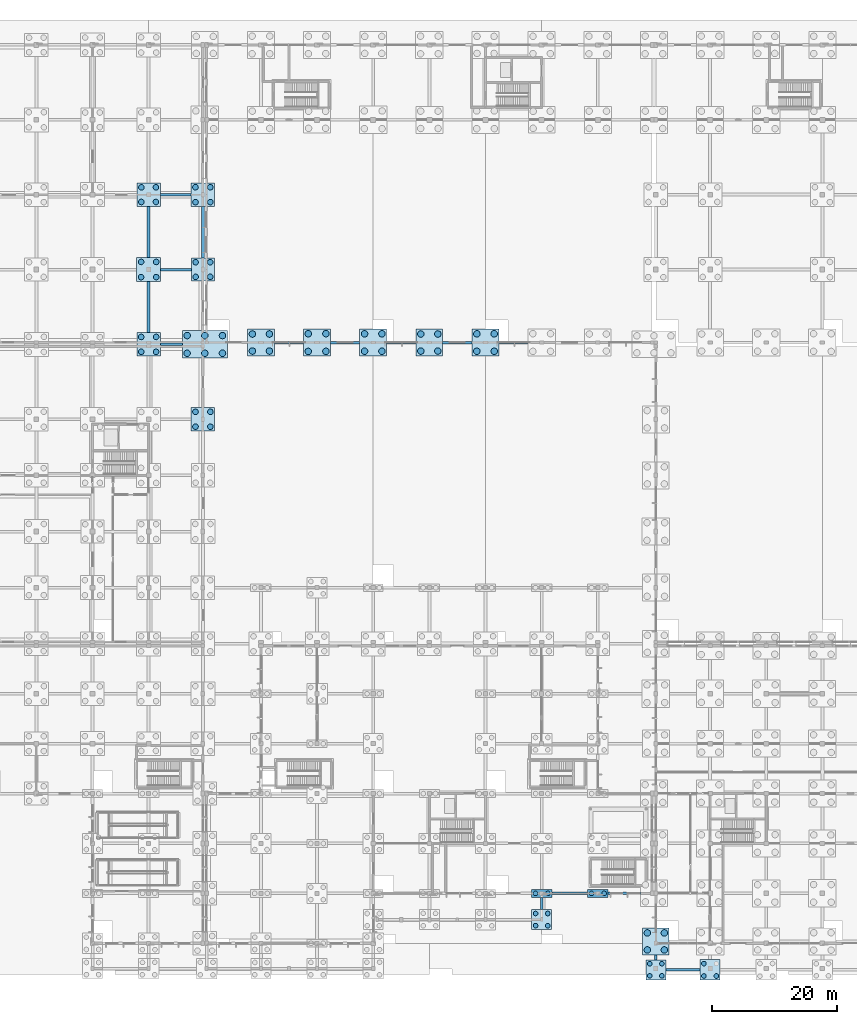
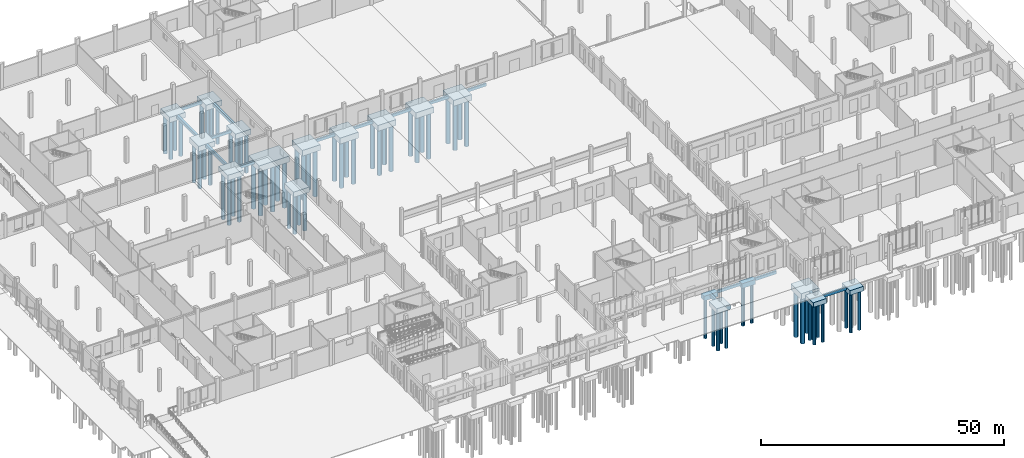
# One storey, part 11 of 99: 69 piles, 34 footings.
"""IFC4 building model written with IfcOpenShell, lengths in metres."""

from ifc_helpers import new_model, si_unit, direction, frame, origin, origin_2d, place, context, subcontext, project, spatial, rectangle, circle, extrude, material, layer, layer_set, material_profile, profile_set, type_object, element, save


model = new_model("IFC4")

# Units and contexts
model_context = context("Model", 3, precision=1e-05, world=origin(), true_north=direction((0.0, 1.0)))
body_context = subcontext(model_context, "Body", "Model", "MODEL_VIEW")
ifc_project = project(units=[si_unit("LENGTHUNIT", "METRE"), si_unit("AREAUNIT", "SQUARE_METRE"), si_unit("VOLUMEUNIT", "CUBIC_METRE"), si_unit("PLANEANGLEUNIT", "RADIAN"), si_unit("MASSUNIT", "GRAM", prefix="KILO")], contexts=[model_context])

# Site, building, storey
site_placement = place(None, origin())
site = spatial("IfcSite", under=ifc_project, at=site_placement, CompositionType="ELEMENT")
building_placement = place(site_placement, origin())
building = spatial("IfcBuilding", under=site, at=building_placement, Name="Zacnel Wholesale Market", CompositionType="ELEMENT")
storey_placement = place(building_placement, origin())
storey = spatial("IfcBuildingStorey", under=building, at=storey_placement, Name="L01", CompositionType="ELEMENT", Elevation=0.0)

# Footings
ifc_material_1 = material(Name="Concrete C35/45", Category="concrete")
ifc_material_profile_1 = material_profile(ifc_material_1, rectangle(XDim=0.39990234375, YDim=0.699951171875, at=origin_2d()), Name="CT 400x700")
ifc_profile_set_1 = profile_set([ifc_material_profile_1], Name="Concrete C35/45")
footing_type_1 = type_object("IfcFootingType", Name="FTG-CT400X700", PredefinedType="FOOTING_BEAM", material=ifc_profile_set_1)
footing_1_placement = place(storey_placement, frame((145.89990234375, -4.25, -0.85009765625), z_axis=(1.0, 0.0, 0.0), x_axis=(0.0, 1.0, 0.0)))
element("IfcFooting", 1, at=footing_1_placement, inside=storey, type_object=footing_type_1, Name="Ground tie beam CT-X-0238", PredefinedType="FOOTING_BEAM", context=body_context, shape_type="SweptSolid", body=[
    extrude(rectangle(XDim=0.39990234375, YDim=0.699951171875, at=origin_2d()), origin(), (0.0, 0.0, 1.0), 5.47998046875),
])
footing_2_placement = place(storey_placement, frame((127.6201171875, 8.0, -0.85009765625), z_axis=(1.0, 0.0, 0.0), x_axis=(0.0, 1.0, 0.0)))
element("IfcFooting", 2, at=footing_2_placement, inside=storey, type_object=footing_type_1, Name="Ground tie beam CT-X-0275", PredefinedType="FOOTING_BEAM", context=body_context, shape_type="SweptSolid", body=[
    extrude(rectangle(XDim=0.39990234375, YDim=0.699951171875, at=origin_2d()), origin(), (0.0, 0.0, 1.0), 5.744873046875),
])
footing_3_placement = place(storey_placement, frame((136.635009765625, 8.0, -0.85009765625), z_axis=(1.0, 0.0, 0.0), x_axis=(0.0, 1.0, 0.0)))
element("IfcFooting", 3, at=footing_3_placement, inside=storey, type_object=footing_type_1, Name="Ground tie beam CT-X-0276", PredefinedType="FOOTING_BEAM", context=body_context, shape_type="SweptSolid", body=[
    extrude(rectangle(XDim=0.39990234375, YDim=0.699951171875, at=origin_2d()), origin(), (0.0, 0.0, 1.0), 5.22509765625),
])
footing_4_placement = place(storey_placement, frame((64.889892578125, 96.0, -0.85009765625), z_axis=(1.0, 0.0, 0.0), x_axis=(0.0, 1.0, 0.0)))
element("IfcFooting", 4, at=footing_4_placement, inside=storey, type_object=footing_type_1, Name="Ground tie beam CT-X-0441", PredefinedType="FOOTING_BEAM", context=body_context, shape_type="SweptSolid", body=[
    extrude(rectangle(XDim=0.39990234375, YDim=0.699951171875, at=origin_2d()), origin(), (0.0, 0.0, 1.0), 3.5),
])
footing_5_placement = place(storey_placement, frame((83.139892578125, 96.300048828125, -0.85009765625), z_axis=(1.0, 0.0, 0.0), x_axis=(0.0, 1.0, 0.0)))
element("IfcFooting", 5, at=footing_5_placement, inside=storey, type_object=footing_type_1, Name="Ground tie beam CT-X-0443", PredefinedType="FOOTING_BEAM", context=body_context, shape_type="SweptSolid", body=[
    extrude(rectangle(XDim=0.39990234375, YDim=0.699951171875, at=origin_2d()), origin(), (0.0, 0.0, 1.0), 4.670166015625),
])
footing_6_placement = place(storey_placement, frame((92.18994140625, 96.300048828125, -0.85009765625), z_axis=(1.0, 0.0, 0.0), x_axis=(0.0, 1.0, 0.0)))
element("IfcFooting", 6, at=footing_6_placement, inside=storey, type_object=footing_type_1, Name="Ground tie beam CT-X-0444", PredefinedType="FOOTING_BEAM", context=body_context, shape_type="SweptSolid", body=[
    extrude(rectangle(XDim=0.39990234375, YDim=0.699951171875, at=origin_2d()), origin(), (0.0, 0.0, 1.0), 4.64501953125),
])
for number, where, z_axis, x_axis, name in (
    (7, (101.1650390625, 96.300048828125, -0.85009765625), (1.0, 0.0, 0.0), (0.0, 1.0, 0.0), "Ground tie beam CT-X-0445"),
    (8, (110.139892578125, 96.300048828125, -0.85009765625), (1.0, 0.0, 0.0), (0.0, 1.0, 0.0), "Ground tie beam CT-X-0446"),
):
    element("IfcFooting", number, at=place(storey_placement, frame(where, z_axis=z_axis, x_axis=x_axis)), inside=storey, type_object=footing_type_1, Name=name, PredefinedType="FOOTING_BEAM", context=body_context, shape_type="SweptSolid", body=[
        extrude(rectangle(XDim=0.39990234375, YDim=0.699951171875, at=origin_2d()), origin(), (0.0, 0.0, 1.0), 4.695068359375),
    ])
footing_7_placement = place(storey_placement, frame((119.1650390625, 96.300048828125, -0.85009765625), z_axis=(1.0, 0.0, 0.0), x_axis=(0.0, 1.0, 0.0)))
element("IfcFooting", 9, at=footing_7_placement, inside=storey, type_object=footing_type_1, Name="Ground tie beam CT-X-0447", PredefinedType="FOOTING_BEAM", context=body_context, shape_type="SweptSolid", body=[
    extrude(rectangle(XDim=0.39990234375, YDim=0.699951171875, at=origin_2d()), origin(), (0.0, 0.0, 1.0), 4.64501953125),
])
footing_8_placement = place(storey_placement, frame((64.9150390625, 108.0, -0.85009765625), z_axis=(1.0, 0.0, 0.0), x_axis=(0.0, 1.0, 0.0)))
element("IfcFooting", 10, at=footing_8_placement, inside=storey, type_object=footing_type_1, Name="Ground tie beam CT-X-0457", PredefinedType="FOOTING_BEAM", context=body_context, shape_type="SweptSolid", body=[
    extrude(rectangle(XDim=0.39990234375, YDim=0.699951171875, at=origin_2d()), origin(), (0.0, 0.0, 1.0), 4.9150390625),
])
footing_9_placement = place(storey_placement, frame((64.8701171875, 120.0, -0.85009765625), z_axis=(1.0, 0.0, 0.0), x_axis=(0.0, 1.0, 0.0)))
element("IfcFooting", 11, at=footing_9_placement, inside=storey, type_object=footing_type_1, Name="Ground tie beam CT-X-0468", PredefinedType="FOOTING_BEAM", context=body_context, shape_type="SweptSolid", body=[
    extrude(rectangle(XDim=0.39990234375, YDim=0.699951171875, at=origin_2d()), origin(), (0.0, 0.0, 1.0), 4.93994140625),
])
ifc_material_2 = material(Name="Concrete C35/45", Category="concrete")
ifc_material_profile_2 = material_profile(ifc_material_2, rectangle(XDim=0.449951171875, YDim=0.75, at=origin_2d()), Name="CT 450x750")
ifc_profile_set_2 = profile_set([ifc_material_profile_2], Name="Concrete C35/45")
footing_type_2 = type_object("IfcFootingType", Name="FTG-CT450X750", PredefinedType="FOOTING_BEAM", material=ifc_profile_set_2)
footing_10_placement = place(storey_placement, frame((126.0, 5.39990234375, -0.875), z_axis=(0.0, 1.0, 0.0), x_axis=(-1.0, 0.0, 0.0)))
element("IfcFooting", 12, at=footing_10_placement, inside=storey, type_object=footing_type_2, Name="Ground tie beam CT-Y-0132", PredefinedType="FOOTING_BEAM", context=body_context, shape_type="SweptSolid", body=[
    extrude(rectangle(XDim=0.449951171875, YDim=0.75, at=origin_2d()), origin(), (0.0, 0.0, 1.0), 1.97509765625),
])
footing_11_placement = place(storey_placement, frame((144.300048828125, -2.64990234375, -0.875), z_axis=(0.0, 1.0, 0.0), x_axis=(-1.0, 0.0, 0.0)))
element("IfcFooting", 13, at=footing_11_placement, inside=storey, type_object=footing_type_2, Name="Ground tie beam CT-Y-0146", PredefinedType="FOOTING_BEAM", context=body_context, shape_type="SweptSolid", body=[
    extrude(rectangle(XDim=0.449951171875, YDim=0.75, at=origin_2d()), origin(), (0.0, 0.0, 1.0), 0.809814453125),
])
ifc_material_3 = material(Name="Concrete C35/45", Category="concrete")
ifc_material_profile_3 = material_profile(ifc_material_3, rectangle(XDim=0.5, YDim=0.800048828125, at=origin_2d()), Name="CT 500x800")
ifc_profile_set_3 = profile_set([ifc_material_profile_3], Name="Concrete C35/45")
footing_type_3 = type_object("IfcFootingType", Name="FTG-CT500X800", PredefinedType="FOOTING_BEAM", material=ifc_profile_set_3)
footing_12_placement = place(storey_placement, frame((63.0, 97.889892578125, -0.89990234375), z_axis=(0.0, 1.0, 0.0), x_axis=(-1.0, 0.0, 0.0)))
element("IfcFooting", 14, at=footing_12_placement, inside=storey, type_object=footing_type_3, Name="Ground tie beam CT-Y-0082", PredefinedType="FOOTING_BEAM", context=body_context, shape_type="SweptSolid", body=[
    extrude(rectangle(XDim=0.5, YDim=0.800048828125, at=origin_2d()), origin(), (0.0, 0.0, 1.0), 8.195068359375),
])
footing_13_placement = place(storey_placement, frame((63.0, 109.9150390625, -0.89990234375), z_axis=(0.0, 1.0, 0.0), x_axis=(-1.0, 0.0, 0.0)))
element("IfcFooting", 15, at=footing_13_placement, inside=storey, type_object=footing_type_3, Name="Ground tie beam CT-Y-0083", PredefinedType="FOOTING_BEAM", context=body_context, shape_type="SweptSolid", body=[
    extrude(rectangle(XDim=0.5, YDim=0.800048828125, at=origin_2d()), origin(), (0.0, 0.0, 1.0), 8.21484375),
])
footing_14_placement = place(storey_placement, frame((71.699951171875, 109.8701171875, -0.89990234375), z_axis=(0.0, 1.0, 0.0), x_axis=(-1.0, 0.0, 0.0)))
element("IfcFooting", 16, at=footing_14_placement, inside=storey, type_object=footing_type_3, Name="Ground tie beam CT-Y-0092", PredefinedType="FOOTING_BEAM", context=body_context, shape_type="SweptSolid", body=[
    extrude(rectangle(XDim=0.5, YDim=0.800048828125, at=origin_2d()), origin(), (0.0, 0.0, 1.0), 8.239990234375),
])
ifc_material_4 = material(Name="Concrete C35/45", Category="concrete")
ifc_layer_1 = layer(ifc_material_4, 1.199951171875)
ifc_layer_set_1 = layer_set([ifc_layer_1], Name="Concrete C35/45")
footing_type_4 = type_object("IfcFootingType", Name="FTG-PC-3200X3200X1200", PredefinedType="PILE_CAP", material=ifc_layer_set_1)
for number, where, z_axis, x_axis, name in (
    (17, (144.300048828125, -4.25, -1.7001953125), (0.0, 0.0, 1.0), (1.0, 0.0, 0.0), "Pile cap PC-21 (STR-PC-R2-BV5-01)"),
    (18, (126.0, 3.800048828125, -1.7001953125), (0.0, 0.0, 1.0), (1.0, 0.0, 0.0), "Pile cap PC-21 (STR-PC-R2-BV4E-04)"),
):
    element("IfcFooting", number, at=place(storey_placement, frame(where, z_axis=z_axis, x_axis=x_axis)), inside=storey, type_object=footing_type_4, Name=name, PredefinedType="PILE_CAP", context=body_context, shape_type="SweptSolid", body=[
        extrude(rectangle(XDim=3.199951171875, YDim=3.199951171875, at=origin_2d()), origin(), (0.0, 0.0, 1.0), 1.199951171875),
    ])
ifc_material_5 = material(Name="Concrete C35/45", Category="concrete")
ifc_layer_2 = layer(ifc_material_5, 1.199951171875)
ifc_layer_set_2 = layer_set([ifc_layer_2], Name="Concrete C35/45")
footing_type_5 = type_object("IfcFootingType", Name="FTG-PC-3240X1250X1200", PredefinedType="PILE_CAP", material=ifc_layer_set_2)
footing_15_placement = place(storey_placement, frame((126.0, 8.0, -1.7001953125), z_axis=(0.0, 0.0, 1.0), x_axis=(1.0, 0.0, 0.0)))
element("IfcFooting", 19, at=footing_15_placement, inside=storey, type_object=footing_type_5, Name="Pile cap PC-10 (STR-PC-178)", PredefinedType="PILE_CAP", context=body_context, shape_type="SweptSolid", body=[
    extrude(rectangle(XDim=3.239990234375, YDim=1.25, at=origin_2d()), origin(), (0.0, 0.0, 1.0), 1.199951171875),
])
ifc_material_6 = material(Name="Concrete C35/45", Category="concrete")
ifc_layer_3 = layer(ifc_material_6, 1.199951171875)
ifc_layer_set_3 = layer_set([ifc_layer_3], Name="Concrete C35/45")
footing_type_6 = type_object("IfcFootingType", Name="FTG-PC-3240X3240X1200", PredefinedType="PILE_CAP", material=ifc_layer_set_3)
footing_16_placement = place(storey_placement, frame((153.0, -4.25, -1.7001953125), z_axis=(0.0, 0.0, 1.0), x_axis=(1.0, 0.0, 0.0)))
element("IfcFooting", 20, at=footing_16_placement, inside=storey, type_object=footing_type_6, Name="Pile cap PC-22 (STR-PC-R2-BV5-02)", PredefinedType="PILE_CAP", context=body_context, shape_type="SweptSolid", body=[
    extrude(rectangle(XDim=3.239990234375, YDim=3.239990234375, at=origin_2d()), origin(), (0.0, 0.0, 1.0), 1.199951171875),
])
ifc_material_7 = material(Name="Concrete C35/45", Category="concrete")
ifc_layer_4 = layer(ifc_material_7, 1.199951171875)
ifc_layer_set_4 = layer_set([ifc_layer_4], Name="Concrete C35/45")
footing_type_7 = type_object("IfcFootingType", Name="FTG-PC-3270X1250X1200", PredefinedType="PILE_CAP", material=ifc_layer_set_4)
footing_17_placement = place(storey_placement, frame((135.0, 8.0, -1.7001953125), z_axis=(0.0, 0.0, 1.0), x_axis=(1.0, 0.0, 0.0)))
element("IfcFooting", 21, at=footing_17_placement, inside=storey, type_object=footing_type_7, Name="Pile cap PC-08 (STR-PC-188)", PredefinedType="PILE_CAP", context=body_context, shape_type="SweptSolid", body=[
    extrude(rectangle(XDim=3.27001953125, YDim=1.25, at=origin_2d()), origin(), (0.0, 0.0, 1.0), 1.199951171875),
])
ifc_material_8 = material(Name="Concrete C35/45", Category="concrete")
ifc_layer_5 = layer(ifc_material_8, 1.300048828125)
ifc_layer_set_5 = layer_set([ifc_layer_5], Name="Concrete C35/45")
footing_type_8 = type_object("IfcFootingType", Name="FTG-PC-3740X3740X1300", PredefinedType="PILE_CAP", material=ifc_layer_set_5)
footing_18_placement = place(storey_placement, frame((71.699951171875, 108.0, -1.7998046875), z_axis=(0.0, 0.0, 1.0), x_axis=(1.0, 0.0, 0.0)))
element("IfcFooting", 22, at=footing_18_placement, inside=storey, type_object=footing_type_8, Name="Pile cap PC-03 (STR-PC-123)", PredefinedType="PILE_CAP", context=body_context, shape_type="SweptSolid", body=[
    extrude(rectangle(XDim=3.739990234375, YDim=3.739990234375, at=origin_2d()), origin(), (0.0, 0.0, 1.0), 1.300048828125),
])
ifc_material_9 = material(Name="Concrete C35/45", Category="concrete")
ifc_layer_6 = layer(ifc_material_9, 1.35009765625)
ifc_layer_set_6 = layer_set([ifc_layer_6], Name="Concrete C35/45")
footing_type_9 = type_object("IfcFootingType", Name="FTG-PC-3740X3740X1350", PredefinedType="PILE_CAP", material=ifc_layer_set_6)
footing_19_placement = place(storey_placement, frame((63.0, 120.0, -1.85009765625), z_axis=(0.0, 0.0, 1.0), x_axis=(1.0, 0.0, 0.0)))
element("IfcFooting", 23, at=footing_19_placement, inside=storey, type_object=footing_type_9, Name="Pile cap PC-06 (STR-PC-108)", PredefinedType="PILE_CAP", context=body_context, shape_type="SweptSolid", body=[
    extrude(rectangle(XDim=3.739990234375, YDim=3.739990234375, at=origin_2d()), origin(), (0.0, 0.0, 1.0), 1.35009765625),
])
ifc_material_10 = material(Name="Concrete C35/45", Category="concrete")
ifc_layer_7 = layer(ifc_material_10, 1.300048828125)
ifc_layer_set_7 = layer_set([ifc_layer_7], Name="Concrete C35/45")
footing_type_10 = type_object("IfcFootingType", Name="FTG-PC-3780X3780X1300", PredefinedType="PILE_CAP", material=ifc_layer_set_7)
footing_20_placement = place(storey_placement, frame((71.699951171875, 84.0, -1.7998046875), z_axis=(0.0, 0.0, 1.0), x_axis=(1.0, 0.0, 0.0)))
element("IfcFooting", 24, at=footing_20_placement, inside=storey, type_object=footing_type_10, Name="Pile cap PC-01 (STR-PC-121)", PredefinedType="PILE_CAP", context=body_context, shape_type="SweptSolid", body=[
    extrude(rectangle(XDim=3.780029296875, YDim=3.780029296875, at=origin_2d()), origin(), (0.0, 0.0, 1.0), 1.300048828125),
])
ifc_material_11 = material(Name="Concrete C35/45", Category="concrete")
ifc_layer_8 = layer(ifc_material_11, 1.35009765625)
ifc_layer_set_8 = layer_set([ifc_layer_8], Name="Concrete C35/45")
footing_type_11 = type_object("IfcFootingType", Name="FTG-PC-3780X3780X1350", PredefinedType="PILE_CAP", material=ifc_layer_set_8)
for number, where, z_axis, x_axis, name in (
    (25, (63.0, 96.0, -1.85009765625), (0.0, 0.0, 1.0), (1.0, 0.0, 0.0), "Pile cap PC-04 (STR-PC-106)"),
    (26, (71.699951171875, 120.0, -1.85009765625), (0.0, 0.0, 1.0), (1.0, 0.0, 0.0), "Pile cap PC-04 (STR-PC-124)"),
):
    element("IfcFooting", number, at=place(storey_placement, frame(where, z_axis=z_axis, x_axis=x_axis)), inside=storey, type_object=footing_type_11, Name=name, PredefinedType="PILE_CAP", context=body_context, shape_type="SweptSolid", body=[
        extrude(rectangle(XDim=3.780029296875, YDim=3.780029296875, at=origin_2d()), origin(), (0.0, 0.0, 1.0), 1.35009765625),
    ])
ifc_material_12 = material(Name="Concrete C35/45", Category="concrete")
ifc_layer_9 = layer(ifc_material_12, 1.300048828125)
ifc_layer_set_9 = layer_set([ifc_layer_9], Name="Concrete C35/45")
footing_type_12 = type_object("IfcFootingType", Name="FTG-PC-3830X3830X1300", PredefinedType="PILE_CAP", material=ifc_layer_set_9)
footing_21_placement = place(storey_placement, frame((63.0, 108.0, -1.7998046875), z_axis=(0.0, 0.0, 1.0), x_axis=(1.0, 0.0, 0.0)))
element("IfcFooting", 27, at=footing_21_placement, inside=storey, type_object=footing_type_12, Name="Pile cap PC-05 (STR-PC-107)", PredefinedType="PILE_CAP", context=body_context, shape_type="SweptSolid", body=[
    extrude(rectangle(XDim=3.830078125, YDim=3.830078125, at=origin_2d()), origin(), (0.0, 0.0, 1.0), 1.300048828125),
])
ifc_material_13 = material(Name="Concrete C35/45", Category="concrete")
ifc_layer_10 = layer(ifc_material_13, 1.449951171875)
ifc_layer_set_10 = layer_set([ifc_layer_10], Name="Concrete C35/45")
footing_type_13 = type_object("IfcFootingType", Name="FTG-PC-4280X4280X1450", PredefinedType="PILE_CAP", material=ifc_layer_set_10)
for number, where, z_axis, x_axis, name in (
    (28, (81.0, 96.300048828125, -1.9501953125), (0.0, 0.0, 1.0), (1.0, 0.0, 0.0), "Pile cap PC-16 (STR-PC-135)"),
    (29, (108.0, 96.300048828125, -1.9501953125), (0.0, 0.0, 1.0), (1.0, 0.0, 0.0), "Pile cap PC-16 (STR-PC-165)"),
):
    element("IfcFooting", number, at=place(storey_placement, frame(where, z_axis=z_axis, x_axis=x_axis)), inside=storey, type_object=footing_type_13, Name=name, PredefinedType="PILE_CAP", context=body_context, shape_type="SweptSolid", body=[
        extrude(rectangle(XDim=4.280029296875, YDim=4.280029296875, at=origin_2d()), origin(), (0.0, 0.0, 1.0), 1.449951171875),
    ])
ifc_material_14 = material(Name="Concrete C35/45", Category="concrete")
ifc_layer_11 = layer(ifc_material_14, 1.5)
ifc_layer_set_11 = layer_set([ifc_layer_11], Name="Concrete C35/45")
footing_type_14 = type_object("IfcFootingType", Name="FTG-PC-4280X4280X1500", PredefinedType="PILE_CAP", material=ifc_layer_set_11)
footing_22_placement = place(storey_placement, frame((144.300048828125, 0.300048828125, -2.0), z_axis=(0.0, 0.0, 1.0), x_axis=(1.0, 0.0, 0.0)))
element("IfcFooting", 30, at=footing_22_placement, inside=storey, type_object=footing_type_14, Name="Pile cap PC-15 (STR-PC-204)", PredefinedType="PILE_CAP", context=body_context, shape_type="SweptSolid", body=[
    extrude(rectangle(XDim=4.280029296875, YDim=4.280029296875, at=origin_2d()), origin(), (0.0, 0.0, 1.0), 1.5),
])
ifc_material_15 = material(Name="Concrete C35/45", Category="concrete")
ifc_layer_12 = layer(ifc_material_15, 1.449951171875)
ifc_layer_set_12 = layer_set([ifc_layer_12], Name="Concrete C35/45")
footing_type_15 = type_object("IfcFootingType", Name="FTG-PC-4330X4330X1450", PredefinedType="PILE_CAP", material=ifc_layer_set_12)
for number, where, z_axis, x_axis, name in (
    (31, (99.0, 96.300048828125, -1.9501953125), (0.0, 0.0, 1.0), (1.0, 0.0, 0.0), "Pile cap PC-19 (STR-PC-157)"),
    (32, (117.0, 96.300048828125, -1.9501953125), (0.0, 0.0, 1.0), (1.0, 0.0, 0.0), "Pile cap PC-19 (STR-PC-175)"),
):
    element("IfcFooting", number, at=place(storey_placement, frame(where, z_axis=z_axis, x_axis=x_axis)), inside=storey, type_object=footing_type_15, Name=name, PredefinedType="PILE_CAP", context=body_context, shape_type="SweptSolid", body=[
        extrude(rectangle(XDim=4.330078125, YDim=4.330078125, at=origin_2d()), origin(), (0.0, 0.0, 1.0), 1.449951171875),
    ])
ifc_material_16 = material(Name="Concrete C35/45", Category="concrete")
ifc_layer_13 = layer(ifc_material_16, 1.5)
ifc_layer_set_13 = layer_set([ifc_layer_13], Name="Concrete C35/45")
footing_type_16 = type_object("IfcFootingType", Name="FTG-PC-4380X4380X1500", PredefinedType="PILE_CAP", material=ifc_layer_set_13)
footing_23_placement = place(storey_placement, frame((90.0, 96.300048828125, -2.0), z_axis=(0.0, 0.0, 1.0), x_axis=(1.0, 0.0, 0.0)))
element("IfcFooting", 33, at=footing_23_placement, inside=storey, type_object=footing_type_16, Name="Pile cap PC-18 (STR-PC-146)", PredefinedType="PILE_CAP", context=body_context, shape_type="SweptSolid", body=[
    extrude(rectangle(XDim=4.3798828125, YDim=4.3798828125, at=origin_2d()), origin(), (0.0, 0.0, 1.0), 1.5),
])
ifc_material_17 = material(Name="Concrete C35/45", Category="concrete")
ifc_layer_14 = layer(ifc_material_17, 1.5)
ifc_layer_set_14 = layer_set([ifc_layer_14], Name="Concrete C35/45")
footing_type_17 = type_object("IfcFootingType", Name="FTG-PC-7220X4380X1500", PredefinedType="PILE_CAP", material=ifc_layer_set_14)
footing_24_placement = place(storey_placement, frame((72.0, 96.0, -2.0), z_axis=(0.0, 0.0, 1.0), x_axis=(1.0, 0.0, 0.0)))
element("IfcFooting", 34, at=footing_24_placement, inside=storey, type_object=footing_type_17, Name="Pile cap PC-13 (STR-PC-122)", PredefinedType="PILE_CAP", context=body_context, shape_type="SweptSolid", body=[
    extrude(rectangle(XDim=7.219970703125, YDim=4.3798828125, at=origin_2d()), origin(), (0.0, 0.0, 1.0), 1.5),
])

# Piles
ifc_material_18 = material(Name="Concrete C35/45", Category="concrete")
ifc_material_profile_4 = material_profile(ifc_material_18, circle(Radius=0.52490234375, at=origin_2d()), Name="BORED PILE D1050")
ifc_profile_set_4 = profile_set([ifc_material_profile_4], Name="Concrete C35/45")
pile_type_1 = type_object("IfcPileType", Name="PILE-BORED-1050", PredefinedType="BORED", material=ifc_profile_set_4)
for number, where, z_axis, x_axis, name in (
    (35, (69.1650390625, 94.58251953125, -1.89990234375), (0.0, 0.0, -1.0), (1.0, 0.0, 0.0), "Bored pile STR-PILE-122-01"),
    (36, (69.1650390625, 97.41748046875, -1.89990234375), (0.0, 0.0, -1.0), (1.0, 0.0, 0.0), "Bored pile STR-PILE-122-02"),
    (37, (72.0, 94.58251953125, -1.89990234375), (0.0, 0.0, -1.0), (1.0, 0.0, 0.0), "Bored pile STR-PILE-122-03"),
    (38, (72.0, 97.41748046875, -1.89990234375), (0.0, 0.0, -1.0), (1.0, 0.0, 0.0), "Bored pile STR-PILE-122-04"),
    (39, (74.8349609375, 94.58251953125, -1.89990234375), (0.0, 0.0, -1.0), (1.0, 0.0, 0.0), "Bored pile STR-PILE-122-05"),
    (40, (74.8349609375, 97.41748046875, -1.89990234375), (0.0, 0.0, -1.0), (1.0, 0.0, 0.0), "Bored pile STR-PILE-122-06"),
):
    element("IfcPile", number, at=place(storey_placement, frame(where, z_axis=z_axis, x_axis=x_axis)), inside=storey, type_object=pile_type_1, Name=name, PredefinedType="BORED", context=body_context, shape_type="SweptSolid", body=[
        extrude(circle(Radius=0.52490234375, at=origin_2d()), origin(), (0.0, 0.0, 1.0), 11.60009765625),
    ])
for number, where, z_axis, x_axis, name in (
    (41, (79.635009765625, 94.93505859375, -1.85009765625), (0.0, 0.0, -1.0), (1.0, 0.0, 0.0), "Bored pile STR-PILE-135-01"),
    (42, (79.635009765625, 97.6650390625, -1.85009765625), (0.0, 0.0, -1.0), (1.0, 0.0, 0.0), "Bored pile STR-PILE-135-02"),
    (43, (82.364990234375, 94.93505859375, -1.85009765625), (0.0, 0.0, -1.0), (1.0, 0.0, 0.0), "Bored pile STR-PILE-135-03"),
    (44, (82.364990234375, 97.6650390625, -1.85009765625), (0.0, 0.0, -1.0), (1.0, 0.0, 0.0), "Bored pile STR-PILE-135-04"),
):
    element("IfcPile", number, at=place(storey_placement, frame(where, z_axis=z_axis, x_axis=x_axis)), inside=storey, type_object=pile_type_1, Name=name, PredefinedType="BORED", context=body_context, shape_type="SweptSolid", body=[
        extrude(circle(Radius=0.52490234375, at=origin_2d()), origin(), (0.0, 0.0, 1.0), 11.64990234375),
    ])
for number, where, z_axis, x_axis, name in (
    (45, (88.58251953125, 94.882568359375, -1.89990234375), (0.0, 0.0, -1.0), (1.0, 0.0, 0.0), "Bored pile STR-PILE-146-01"),
    (46, (88.58251953125, 97.717529296875, -1.89990234375), (0.0, 0.0, -1.0), (1.0, 0.0, 0.0), "Bored pile STR-PILE-146-02"),
    (47, (91.41748046875, 94.882568359375, -1.89990234375), (0.0, 0.0, -1.0), (1.0, 0.0, 0.0), "Bored pile STR-PILE-146-03"),
    (48, (91.41748046875, 97.717529296875, -1.89990234375), (0.0, 0.0, -1.0), (1.0, 0.0, 0.0), "Bored pile STR-PILE-146-04"),
):
    element("IfcPile", number, at=place(storey_placement, frame(where, z_axis=z_axis, x_axis=x_axis)), inside=storey, type_object=pile_type_1, Name=name, PredefinedType="BORED", context=body_context, shape_type="SweptSolid", body=[
        extrude(circle(Radius=0.52490234375, at=origin_2d()), origin(), (0.0, 0.0, 1.0), 11.60009765625),
    ])
for number, where, z_axis, x_axis, name in (
    (49, (97.6083984375, 94.908447265625, -1.85009765625), (0.0, 0.0, -1.0), (1.0, 0.0, 0.0), "Bored pile STR-PILE-157-01"),
    (50, (97.6083984375, 97.69140625, -1.85009765625), (0.0, 0.0, -1.0), (1.0, 0.0, 0.0), "Bored pile STR-PILE-157-02"),
    (51, (100.3916015625, 94.908447265625, -1.85009765625), (0.0, 0.0, -1.0), (1.0, 0.0, 0.0), "Bored pile STR-PILE-157-03"),
    (52, (100.3916015625, 97.69140625, -1.85009765625), (0.0, 0.0, -1.0), (1.0, 0.0, 0.0), "Bored pile STR-PILE-157-04"),
    (53, (106.635009765625, 94.93505859375, -1.85009765625), (0.0, 0.0, -1.0), (1.0, 0.0, 0.0), "Bored pile STR-PILE-165-01"),
    (54, (106.635009765625, 97.6650390625, -1.85009765625), (0.0, 0.0, -1.0), (1.0, 0.0, 0.0), "Bored pile STR-PILE-165-02"),
    (55, (109.364990234375, 94.93505859375, -1.85009765625), (0.0, 0.0, -1.0), (1.0, 0.0, 0.0), "Bored pile STR-PILE-165-03"),
    (56, (109.364990234375, 97.6650390625, -1.85009765625), (0.0, 0.0, -1.0), (1.0, 0.0, 0.0), "Bored pile STR-PILE-165-04"),
    (57, (115.6083984375, 94.908447265625, -1.85009765625), (0.0, 0.0, -1.0), (1.0, 0.0, 0.0), "Bored pile STR-PILE-175-01"),
    (58, (115.6083984375, 97.69140625, -1.85009765625), (0.0, 0.0, -1.0), (1.0, 0.0, 0.0), "Bored pile STR-PILE-175-02"),
    (59, (118.3916015625, 94.908447265625, -1.85009765625), (0.0, 0.0, -1.0), (1.0, 0.0, 0.0), "Bored pile STR-PILE-175-03"),
    (60, (118.3916015625, 97.69140625, -1.85009765625), (0.0, 0.0, -1.0), (1.0, 0.0, 0.0), "Bored pile STR-PILE-175-04"),
):
    element("IfcPile", number, at=place(storey_placement, frame(where, z_axis=z_axis, x_axis=x_axis)), inside=storey, type_object=pile_type_1, Name=name, PredefinedType="BORED", context=body_context, shape_type="SweptSolid", body=[
        extrude(circle(Radius=0.52490234375, at=origin_2d()), origin(), (0.0, 0.0, 1.0), 11.64990234375),
    ])
for number, where, z_axis, x_axis, name in (
    (61, (142.93505859375, -1.06494140625, -1.89990234375), (0.0, 0.0, -1.0), (1.0, 0.0, 0.0), "Bored pile STR-PILE-204-01"),
    (62, (142.93505859375, 1.6650390625, -1.89990234375), (0.0, 0.0, -1.0), (1.0, 0.0, 0.0), "Bored pile STR-PILE-204-02"),
    (63, (145.6650390625, -1.06494140625, -1.89990234375), (0.0, 0.0, -1.0), (1.0, 0.0, 0.0), "Bored pile STR-PILE-204-03"),
    (64, (145.6650390625, 1.6650390625, -1.89990234375), (0.0, 0.0, -1.0), (1.0, 0.0, 0.0), "Bored pile STR-PILE-204-04"),
):
    element("IfcPile", number, at=place(storey_placement, frame(where, z_axis=z_axis, x_axis=x_axis)), inside=storey, type_object=pile_type_1, Name=name, PredefinedType="BORED", context=body_context, shape_type="SweptSolid", body=[
        extrude(circle(Radius=0.52490234375, at=origin_2d()), origin(), (0.0, 0.0, 1.0), 11.60009765625),
    ])
ifc_material_19 = material(Name="Concrete C35/45", Category="concrete")
ifc_material_profile_5 = material_profile(ifc_material_19, circle(Radius=0.375, at=origin_2d()), Name="BORED PILE D750")
ifc_profile_set_5 = profile_set([ifc_material_profile_5], Name="Concrete C35/45")
pile_type_2 = type_object("IfcPileType", Name="PILE-BORED-750", PredefinedType="BORED", material=ifc_profile_set_5)
for number, where, z_axis, x_axis, name in (
    (65, (125.006591796875, 8.0, -1.60009765625), (0.0, 0.0, -1.0), (1.0, 0.0, 0.0), "Bored pile STR-PILE-178-01"),
    (66, (126.993408203125, 8.0, -1.60009765625), (0.0, 0.0, -1.0), (1.0, 0.0, 0.0), "Bored pile STR-PILE-178-02"),
    (67, (133.987548828125, 8.0, -1.60009765625), (0.0, 0.0, -1.0), (1.0, 0.0, 0.0), "Bored pile STR-PILE-188-01"),
    (68, (136.012451171875, 8.0, -1.60009765625), (0.0, 0.0, -1.0), (1.0, 0.0, 0.0), "Bored pile STR-PILE-188-02"),
    (69, (143.324951171875, -5.22509765625, -1.60009765625), (0.0, 0.0, -1.0), (1.0, 0.0, 0.0), "Bored pile STR-PILE-R2-BV5-01-01"),
    (70, (143.324951171875, -3.27490234375, -1.60009765625), (0.0, 0.0, -1.0), (1.0, 0.0, 0.0), "Bored pile STR-PILE-R2-BV5-01-02"),
    (71, (145.27490234375, -5.22509765625, -1.60009765625), (0.0, 0.0, -1.0), (1.0, 0.0, 0.0), "Bored pile STR-PILE-R2-BV5-01-03"),
    (72, (145.27490234375, -3.27490234375, -1.60009765625), (0.0, 0.0, -1.0), (1.0, 0.0, 0.0), "Bored pile STR-PILE-R2-BV5-01-04"),
    (73, (152.006591796875, -5.243408203125, -1.60009765625), (0.0, 0.0, -1.0), (1.0, 0.0, 0.0), "Bored pile STR-PILE-R2-BV5-02-01"),
    (74, (152.006591796875, -3.256591796875, -1.60009765625), (0.0, 0.0, -1.0), (1.0, 0.0, 0.0), "Bored pile STR-PILE-R2-BV5-02-02"),
    (75, (153.993408203125, -5.243408203125, -1.60009765625), (0.0, 0.0, -1.0), (1.0, 0.0, 0.0), "Bored pile STR-PILE-R2-BV5-02-03"),
    (76, (125.02490234375, 2.824951171875, -1.60009765625), (0.0, 0.0, -1.0), (1.0, 0.0, 0.0), "Bored pile STR-PILE-R2-BV4E-04-01"),
    (77, (125.02490234375, 4.77490234375, -1.60009765625), (0.0, 0.0, -1.0), (1.0, 0.0, 0.0), "Bored pile STR-PILE-R2-BV4E-04-02"),
    (78, (126.97509765625, 2.824951171875, -1.60009765625), (0.0, 0.0, -1.0), (1.0, 0.0, 0.0), "Bored pile STR-PILE-R2-BV4E-04-03"),
    (79, (126.97509765625, 4.77490234375, -1.60009765625), (0.0, 0.0, -1.0), (1.0, 0.0, 0.0), "Bored pile STR-PILE-R2-BV4E-04-04"),
):
    element("IfcPile", number, at=place(storey_placement, frame(where, z_axis=z_axis, x_axis=x_axis)), inside=storey, type_object=pile_type_2, Name=name, PredefinedType="BORED", context=body_context, shape_type="SweptSolid", body=[
        extrude(circle(Radius=0.375, at=origin_2d()), origin(), (0.0, 0.0, 1.0), 9.89990234375),
    ])
ifc_material_20 = material(Name="Concrete C35/45", Category="concrete")
ifc_material_profile_6 = material_profile(ifc_material_20, circle(Radius=0.449951171875, at=origin_2d()), Name="BORED PILE D900")
ifc_profile_set_6 = profile_set([ifc_material_profile_6], Name="Concrete C35/45")
pile_type_3 = type_object("IfcPileType", Name="PILE-BORED-900", PredefinedType="BORED", material=ifc_profile_set_6)
for number, where, z_axis, x_axis, name in (
    (80, (61.8076171875, 94.8076171875, -1.75), (0.0, 0.0, -1.0), (1.0, 0.0, 0.0), "Bored pile STR-PILE-106-01"),
    (81, (61.8076171875, 97.1923828125, -1.75), (0.0, 0.0, -1.0), (1.0, 0.0, 0.0), "Bored pile STR-PILE-106-02"),
    (82, (64.1923828125, 94.8076171875, -1.75), (0.0, 0.0, -1.0), (1.0, 0.0, 0.0), "Bored pile STR-PILE-106-03"),
    (83, (64.1923828125, 97.1923828125, -1.75), (0.0, 0.0, -1.0), (1.0, 0.0, 0.0), "Bored pile STR-PILE-106-04"),
):
    element("IfcPile", number, at=place(storey_placement, frame(where, z_axis=z_axis, x_axis=x_axis)), inside=storey, type_object=pile_type_3, Name=name, PredefinedType="BORED", context=body_context, shape_type="SweptSolid", body=[
        extrude(circle(Radius=0.449951171875, at=origin_2d()), origin(), (0.0, 0.0, 1.0), 11.75),
    ])
for number, where, z_axis, x_axis, name in (
    (84, (61.784912109375, 106.784912109375, -1.699951171875), (0.0, 0.0, -1.0), (1.0, 0.0, 0.0), "Bored pile STR-PILE-107-01"),
    (85, (61.784912109375, 109.215087890625, -1.699951171875), (0.0, 0.0, -1.0), (1.0, 0.0, 0.0), "Bored pile STR-PILE-107-02"),
    (86, (64.215087890625, 106.784912109375, -1.699951171875), (0.0, 0.0, -1.0), (1.0, 0.0, 0.0), "Bored pile STR-PILE-107-03"),
    (87, (64.215087890625, 109.215087890625, -1.699951171875), (0.0, 0.0, -1.0), (1.0, 0.0, 0.0), "Bored pile STR-PILE-107-04"),
):
    element("IfcPile", number, at=place(storey_placement, frame(where, z_axis=z_axis, x_axis=x_axis)), inside=storey, type_object=pile_type_3, Name=name, PredefinedType="BORED", context=body_context, shape_type="SweptSolid", body=[
        extrude(circle(Radius=0.449951171875, at=origin_2d()), origin(), (0.0, 0.0, 1.0), 9.800048828125),
    ])
for number, where, z_axis, x_axis, name in (
    (88, (61.830078125, 118.830078125, -1.75), (0.0, 0.0, -1.0), (1.0, 0.0, 0.0), "Bored pile STR-PILE-108-01"),
    (89, (61.830078125, 121.169921875, -1.75), (0.0, 0.0, -1.0), (1.0, 0.0, 0.0), "Bored pile STR-PILE-108-02"),
    (90, (64.169921875, 118.830078125, -1.75), (0.0, 0.0, -1.0), (1.0, 0.0, 0.0), "Bored pile STR-PILE-108-03"),
    (91, (64.169921875, 121.169921875, -1.75), (0.0, 0.0, -1.0), (1.0, 0.0, 0.0), "Bored pile STR-PILE-108-04"),
):
    element("IfcPile", number, at=place(storey_placement, frame(where, z_axis=z_axis, x_axis=x_axis)), inside=storey, type_object=pile_type_3, Name=name, PredefinedType="BORED", context=body_context, shape_type="SweptSolid", body=[
        extrude(circle(Radius=0.449951171875, at=origin_2d()), origin(), (0.0, 0.0, 1.0), 9.75),
    ])
for number, where, z_axis, x_axis, name in (
    (92, (70.507568359375, 82.8076171875, -1.699951171875), (0.0, 0.0, -1.0), (1.0, 0.0, 0.0), "Bored pile STR-PILE-121-01"),
    (93, (70.507568359375, 85.1923828125, -1.699951171875), (0.0, 0.0, -1.0), (1.0, 0.0, 0.0), "Bored pile STR-PILE-121-02"),
    (94, (72.892578125, 82.8076171875, -1.699951171875), (0.0, 0.0, -1.0), (1.0, 0.0, 0.0), "Bored pile STR-PILE-121-03"),
    (95, (72.892578125, 85.1923828125, -1.699951171875), (0.0, 0.0, -1.0), (1.0, 0.0, 0.0), "Bored pile STR-PILE-121-04"),
    (96, (70.530029296875, 106.830078125, -1.699951171875), (0.0, 0.0, -1.0), (1.0, 0.0, 0.0), "Bored pile STR-PILE-123-01"),
    (97, (70.530029296875, 109.169921875, -1.699951171875), (0.0, 0.0, -1.0), (1.0, 0.0, 0.0), "Bored pile STR-PILE-123-02"),
    (98, (72.8701171875, 106.830078125, -1.699951171875), (0.0, 0.0, -1.0), (1.0, 0.0, 0.0), "Bored pile STR-PILE-123-03"),
    (99, (72.8701171875, 109.169921875, -1.699951171875), (0.0, 0.0, -1.0), (1.0, 0.0, 0.0), "Bored pile STR-PILE-123-04"),
):
    element("IfcPile", number, at=place(storey_placement, frame(where, z_axis=z_axis, x_axis=x_axis)), inside=storey, type_object=pile_type_3, Name=name, PredefinedType="BORED", context=body_context, shape_type="SweptSolid", body=[
        extrude(circle(Radius=0.449951171875, at=origin_2d()), origin(), (0.0, 0.0, 1.0), 9.800048828125),
    ])
for number, where, z_axis, x_axis, name in (
    (100, (70.507568359375, 118.8076171875, -1.75), (0.0, 0.0, -1.0), (1.0, 0.0, 0.0), "Bored pile STR-PILE-124-01"),
    (101, (70.507568359375, 121.1923828125, -1.75), (0.0, 0.0, -1.0), (1.0, 0.0, 0.0), "Bored pile STR-PILE-124-02"),
    (102, (72.892578125, 118.8076171875, -1.75), (0.0, 0.0, -1.0), (1.0, 0.0, 0.0), "Bored pile STR-PILE-124-03"),
    (103, (72.892578125, 121.1923828125, -1.75), (0.0, 0.0, -1.0), (1.0, 0.0, 0.0), "Bored pile STR-PILE-124-04"),
):
    element("IfcPile", number, at=place(storey_placement, frame(where, z_axis=z_axis, x_axis=x_axis)), inside=storey, type_object=pile_type_3, Name=name, PredefinedType="BORED", context=body_context, shape_type="SweptSolid", body=[
        extrude(circle(Radius=0.449951171875, at=origin_2d()), origin(), (0.0, 0.0, 1.0), 9.75),
    ])

save(model, "model.ifc")
